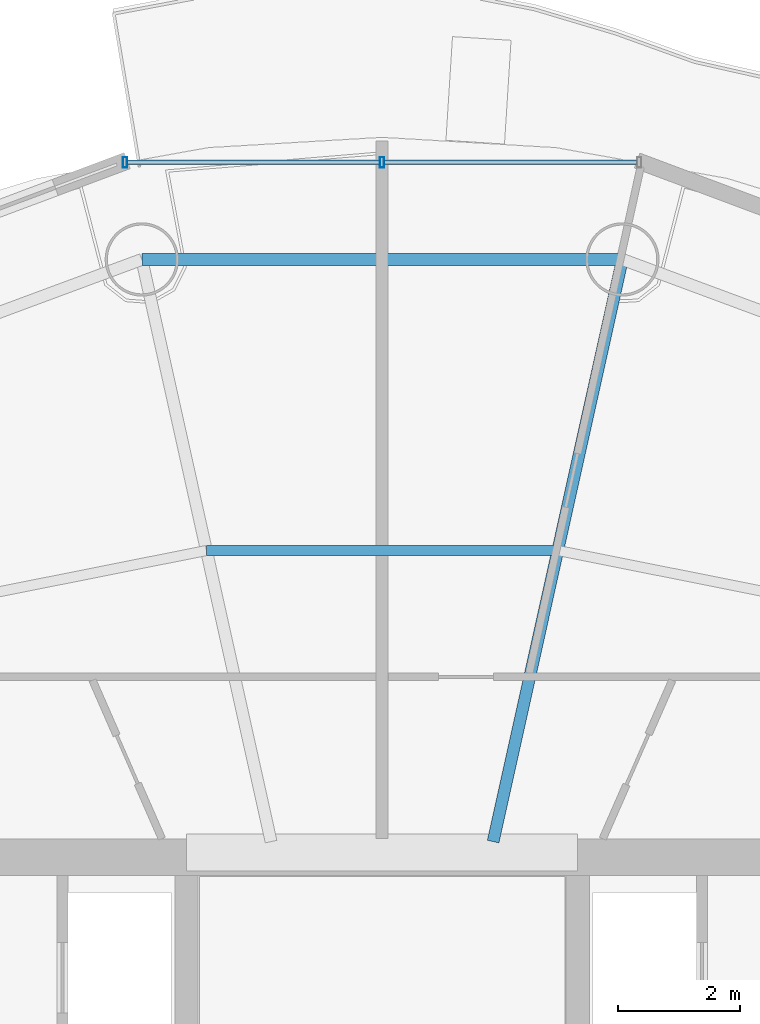
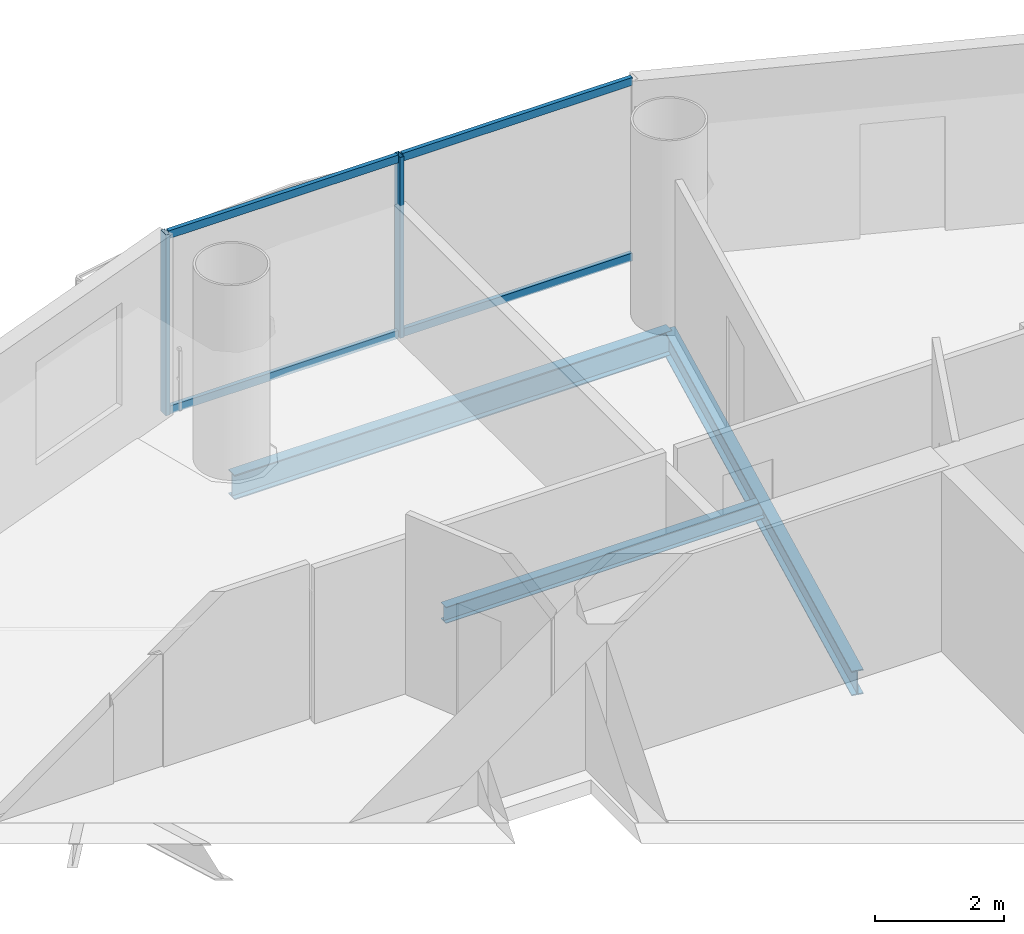
# One storey, part 16 of 27: 6 members, 3 beams, 1 element without a shape of its own.
"""IFC4 building model written with IfcOpenShell, lengths in metres."""

from ifc_helpers import new_model, si_unit, direction, frame, origin, origin_2d, place, context, subcontext, project, spatial, hollow_rectangle, i_section, extrude, source, transform, mapped, material, material_profile, profile_set, type_object, element, aggregate, save


model = new_model("IFC4")

# Units and contexts
model_context = context("Model", 3, precision=1e-05, world=origin(), true_north=direction((-0.2419218956, 0.970295726276)))
body_context = subcontext(model_context, "Body", "Model", "MODEL_VIEW")
ifc_project = project(units=[si_unit("LENGTHUNIT", "METRE"), si_unit("AREAUNIT", "SQUARE_METRE"), si_unit("VOLUMEUNIT", "CUBIC_METRE"), si_unit("PLANEANGLEUNIT", "RADIAN"), si_unit("MASSUNIT", "GRAM", prefix="KILO")], contexts=[model_context])

# Site, building, storey
site_placement = place(None, origin())
site = spatial("IfcSite", under=ifc_project, at=site_placement, CompositionType="ELEMENT")
building_placement = place(site_placement, origin())
building = spatial("IfcBuilding", under=site, at=building_placement, Name="Cobrevalo Terracotta Tower", CompositionType="ELEMENT")
storey_placement = place(building_placement, frame((0.0, 0.0, 198.60009765625)))
storey = spatial("IfcBuildingStorey", under=building, at=storey_placement, Name="L52", CompositionType="ELEMENT", Elevation=198.60009765625)

# Beams
ifc_material_1 = material(Name="Steel S355", Category="steel")
ifc_material_profile_1 = material_profile(ifc_material_1, i_section(OverallWidth=0.194091796875, OverallDepth=0.468994140625, WebThickness=0.011474609375, FlangeThickness=0.0205078125, at=origin_2d()), Name="W 460x106")
ifc_profile_set_1 = profile_set([ifc_material_profile_1], Name="Steel S355")
beam_type_1 = type_object("IfcBeamType", Name="Structural Beam W 460x106 (Steel S355)", PredefinedType="BEAM", material=ifc_profile_set_1)
beam_1_placement = place(storey_placement, frame((41.93115234375, 44.503173828125, -0.49951171875), z_axis=(-0.216782061165, -0.976220025382, 0.0), x_axis=(0.976220025382, -0.216782061165, 0.0)))
element("IfcBeam", 1, at=beam_1_placement, inside=storey, type_object=beam_type_1, Name="L52 radial floor girder 04", PredefinedType="BEAM", context=body_context, shape_type="SweptSolid", body=[
    extrude(i_section(OverallWidth=0.194091796875, OverallDepth=0.468994140625, WebThickness=0.011474609375, FlangeThickness=0.0205078125, at=origin_2d()), origin(), (0.0, 0.0, 1.0), 9.755126953125),
])
ifc_material_profile_2 = material_profile(ifc_material_1, i_section(OverallWidth=0.1650390625, OverallDepth=0.31005859375, WebThickness=0.005859375, FlangeThickness=0.009765625, at=origin_2d()), Name="W 310x38.7")
ifc_profile_set_2 = profile_set([ifc_material_profile_2], Name="Steel S355")
beam_type_2 = type_object("IfcBeamType", Name="Structural Joist W 310x38.7 (Steel S355)", PredefinedType="JOIST", material=ifc_profile_set_2)
beam_2_placement = place(storey_placement, frame((40.873779296875, 39.74169921875, -0.420166015625), z_axis=(-1.0, 0.0, 0.0), x_axis=(0.0, -1.0, 0.0)))
element("IfcBeam", 2, at=beam_2_placement, inside=storey, type_object=beam_type_2, Name="L52 circumferential secondary floor joist 04", PredefinedType="JOIST", context=body_context, shape_type="SweptSolid", body=[
    extrude(i_section(OverallWidth=0.1650390625, OverallDepth=0.31005859375, WebThickness=0.005859375, FlangeThickness=0.009765625, at=origin_2d()), origin(), (0.0, 0.0, 1.0), 5.74755859375),
])
ifc_material_profile_3 = material_profile(ifc_material_1, i_section(OverallWidth=0.194091796875, OverallDepth=0.468994140625, WebThickness=0.011474609375, FlangeThickness=0.0205078125, at=origin_2d()), Name="W 460x106")
ifc_profile_set_3 = profile_set([ifc_material_profile_3], Name="Steel S355")
beam_type_3 = type_object("IfcBeamType", Name="Structural Spandrel W 460x106 (Steel S355)", PredefinedType="SPANDREL", material=ifc_profile_set_3)
beam_3_placement = place(storey_placement, frame((41.93115234375, 44.503173828125, -0.49951171875), z_axis=(-1.0, 0.0, 0.0), x_axis=(0.0, -1.0, 0.0)))
element("IfcBeam", 3, at=beam_3_placement, inside=storey, type_object=beam_type_3, Name="L52 perimeter ring spandrel 04", PredefinedType="SPANDREL", context=body_context, shape_type="SweptSolid", body=[
    extrude(i_section(OverallWidth=0.194091796875, OverallDepth=0.468994140625, WebThickness=0.011474609375, FlangeThickness=0.0205078125, at=origin_2d()), origin(), (0.0, 0.0, 1.0), 7.8623046875),
])

# Curtain wall, members
ifc_material_2 = material(Name="Anodized aluminium", Category="aluminium")
curtain_wall_type = type_object("IfcCurtainWallType", Name="Mid-tower high-wind unitised curtain wall CW-U2", PredefinedType="NOTDEFINED", material=ifc_material_2)
curtain_wall_placement = place(storey_placement, origin())
curtain_wall = element("IfcCurtainWall", 4, at=curtain_wall_placement, inside=storey, type_object=curtain_wall_type, Name="L52 curtain wall CW-L52-S04", PredefinedType="NOTDEFINED")
ifc_material_profile_4 = material_profile(ifc_material_2, hollow_rectangle(XDim=0.074951171875, YDim=0.14990234375, WallThickness=0.00439453125, at=origin_2d()), Name="CWT 75x150")
ifc_profile_set_4 = profile_set([ifc_material_profile_4], Name="Anodized aluminium")
member_type_1 = type_object("IfcMemberType", Name="Tower unitised aluminium transom 75x150", PredefinedType="USERDEFINED", material=ifc_profile_set_4)
shared_shape_1 = source(origin(), body_context, "Body", "SweptSolid", [
    extrude(hollow_rectangle(XDim=0.074951171875, YDim=0.14990234375, WallThickness=0.00439453125, at=origin_2d()), origin(), (0.0, 0.0, 1.0), 4.127197265625),
])
member_1_placement = place(storey_placement, frame((42.167236328125, 46.092041015625, 0.0498046875), z_axis=(-1.0, 0.0, 0.0), x_axis=(0.0, -1.0, 0.0)))
member_1 = element("IfcMember", 5, at=member_1_placement, type_object=member_type_1, Name="CW-L52-S04 transom B01-T1", ObjectType="TRANSOM", PredefinedType="USERDEFINED", context=body_context, shape_type="MappedRepresentation", body=[
    mapped(shared_shape_1, transform((0.0, 0.0, 0.0), scale=1.0)),
])
member_2_placement = place(storey_placement, frame((42.167236328125, 46.092041015625, 3.385009765625), z_axis=(-1.0, 0.0, 0.0), x_axis=(0.0, -1.0, 0.0)))
member_2 = element("IfcMember", 6, at=member_2_placement, type_object=member_type_1, Name="CW-L52-S04 transom B01-T2", ObjectType="TRANSOM", PredefinedType="USERDEFINED", context=body_context, shape_type="MappedRepresentation", body=[
    mapped(shared_shape_1, transform((0.0, 0.0, 0.0), scale=1.0)),
])
member_3_placement = place(storey_placement, frame((37.9599609375, 46.092041015625, 0.0498046875), z_axis=(-1.0, 0.0, 0.0), x_axis=(0.0, -1.0, 0.0)))
member_3 = element("IfcMember", 7, at=member_3_placement, type_object=member_type_1, Name="CW-L52-S04 transom B02-T1", ObjectType="TRANSOM", PredefinedType="USERDEFINED", context=body_context, shape_type="MappedRepresentation", body=[
    mapped(shared_shape_1, transform((0.0, 0.0, 0.0), scale=1.0)),
])
member_4_placement = place(storey_placement, frame((37.9599609375, 46.092041015625, 3.385009765625), z_axis=(-1.0, 0.0, 0.0), x_axis=(0.0, -1.0, 0.0)))
member_4 = element("IfcMember", 8, at=member_4_placement, type_object=member_type_1, Name="CW-L52-S04 transom B02-T2", ObjectType="TRANSOM", PredefinedType="USERDEFINED", context=body_context, shape_type="MappedRepresentation", body=[
    mapped(shared_shape_1, transform((0.0, 0.0, 0.0), scale=1.0)),
])
ifc_material_profile_5 = material_profile(ifc_material_2, hollow_rectangle(XDim=0.070068359375, YDim=0.169921875, WallThickness=0.00439453125, at=origin_2d()), Name="CWM 70x170")
ifc_profile_set_5 = profile_set([ifc_material_profile_5], Name="Anodized aluminium")
member_type_2 = type_object("IfcMemberType", Name="Upper tower unitised mullion 70x170", PredefinedType="MULLION", material=ifc_profile_set_5)
shared_shape_2 = source(origin(), body_context, "Body", "SweptSolid", [
    extrude(hollow_rectangle(XDim=0.070068359375, YDim=0.169921875, WallThickness=0.00439453125, at=origin_2d()), origin(), (0.0, 0.0, 1.0), 3.434814453125),
])
member_5_placement = place(storey_placement, frame((38.0, 46.092041015625, 0.0), z_axis=(0.0, 0.0, 1.0), x_axis=(-1.0, 0.0, 0.0)))
member_5 = element("IfcMember", 9, at=member_5_placement, type_object=member_type_2, Name="CW-L52-S04 vertical mullion 02", PredefinedType="MULLION", context=body_context, shape_type="MappedRepresentation", body=[
    mapped(shared_shape_2, transform((0.0, 0.0, 0.0), scale=1.0)),
])
member_6_placement = place(storey_placement, frame((33.79296875, 46.092041015625, 0.0), z_axis=(0.0, 0.0, 1.0), x_axis=(-1.0, 0.0, 0.0)))
member_6 = element("IfcMember", 10, at=member_6_placement, type_object=member_type_2, Name="CW-L52-S04 vertical mullion 03", PredefinedType="MULLION", context=body_context, shape_type="MappedRepresentation", body=[
    mapped(shared_shape_2, transform((0.0, 0.0, 0.0), scale=1.0)),
])
aggregate(curtain_wall, [member_5, member_6, member_1, member_2, member_3, member_4])

save(model, "model.ifc")
